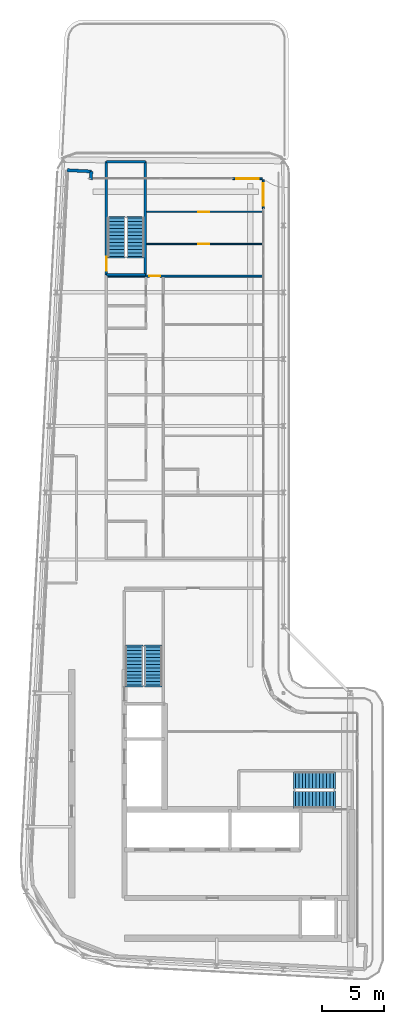
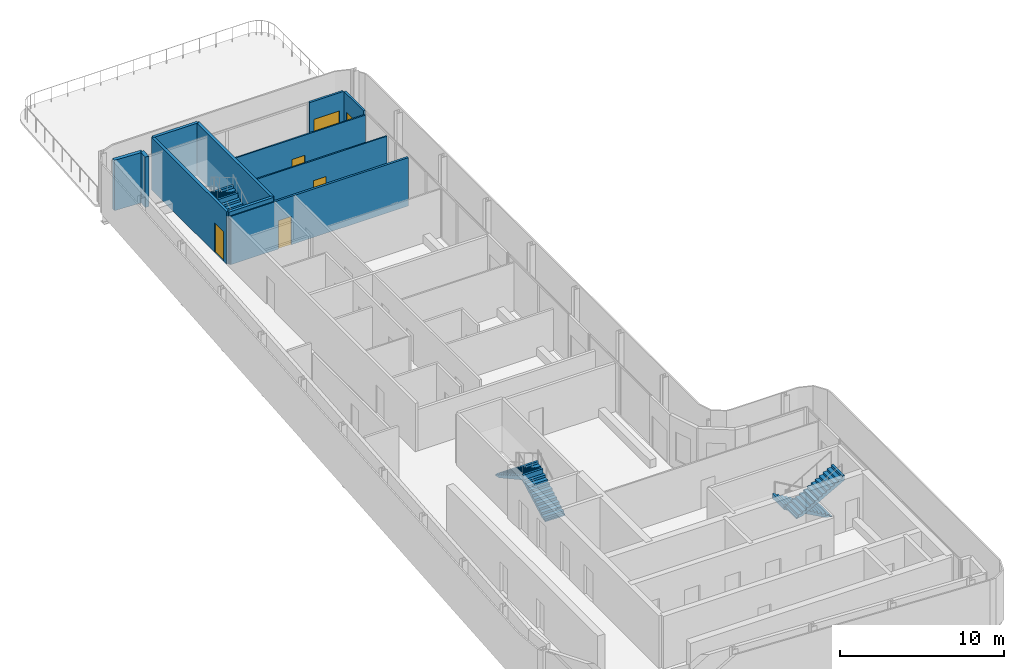
# One storey, part 11 of 15: 11 walls, 6 doors, 6 stair flights, 6 openings, 3 elements without a shape of their own.
"""IFC4 building model written with IfcOpenShell, lengths in metres."""

from ifc_helpers import new_model, si_unit, direction, frame, frame_2d, origin, place, context, subcontext, project, spatial, polyline, rectangle, outline, extrude, source, transform, mapped, material, layer, layer_set, type_object, element, fill, aggregate, save


model = new_model("IFC4")

# Units and contexts
model_context = context("Model", 3, precision=1e-05, world=origin(), true_north=direction((0.0, 1.0)))
body_context = subcontext(model_context, "Body", "Model", "MODEL_VIEW")
ifc_project = project(units=[si_unit("LENGTHUNIT", "METRE"), si_unit("AREAUNIT", "SQUARE_METRE"), si_unit("VOLUMEUNIT", "CUBIC_METRE"), si_unit("PLANEANGLEUNIT", "RADIAN"), si_unit("MASSUNIT", "GRAM", prefix="KILO")], contexts=[model_context])

# Site, building, storey
site_placement = place(None, origin())
site = spatial("IfcSite", under=ifc_project, at=site_placement, CompositionType="ELEMENT")
building_placement = place(site_placement, origin())
building = spatial("IfcBuilding", under=site, at=building_placement, Name="Kheshtan School and Residences Tower", CompositionType="ELEMENT")
storey_placement = place(building_placement, frame((0.0, 0.0, 338.300048828125)))
storey = spatial("IfcBuildingStorey", under=building, at=storey_placement, Name="L79", CompositionType="ELEMENT", Elevation=338.300048828125)

# Walls
ifc_material_1 = material(Name="Concrete C40/50 with ceramic cladding and mineral wool insulation", Category="concrete")
ifc_layer_1 = layer(ifc_material_1, 0.25)
ifc_layer_set_1 = layer_set([ifc_layer_1], Name="External wall 250 ceramic clad")
wall_type_1 = type_object("IfcWallType", Name="External wall 250 ceramic clad", PredefinedType="SOLIDWALL", material=ifc_layer_set_1)
wall_1_placement = place(storey_placement, frame((30.136962890625, 87.864013671875, 0.0), z_axis=(0.0, 0.0, 1.0), x_axis=(0.998577785791, -0.053314216913, 0.0)))
element("IfcWall", 1, at=wall_1_placement, inside=storey, type_object=wall_type_1, Name="External wall L79 1", PredefinedType="SOLIDWALL", context=body_context, shape_type="SweptSolid", body=[
    extrude(rectangle(XDim=1.95068359375, YDim=0.25, at=frame_2d((0.975341796875, 0.0))), origin(), (0.0, 0.0, 1.0), 3.75),
])
wall_2_placement = place(storey_placement, frame((32.0849609375, 87.760009765625, 0.0), z_axis=(0.0, 0.0, 1.0), x_axis=(-0.053729014033, -0.998555553312, 0.0)))
element("IfcWall", 2, at=wall_2_placement, inside=storey, type_object=wall_type_1, Name="External wall L79 2", PredefinedType="SOLIDWALL", context=body_context, shape_type="SweptSolid", body=[
    extrude(rectangle(XDim=0.66796875, YDim=0.25, at=frame_2d((0.333984375, 0.0))), origin(), (0.0, 0.0, 1.0), 3.75),
])

# Wall, opening, door
ifc_material_2 = material(Name="Aluminium frame wall with insulated infill", Category="aluminium")
ifc_layer_2 = layer(ifc_material_2, 0.14990234375)
ifc_layer_set_2 = layer_set([ifc_layer_2], Name="Glazing frame wall 150")
wall_type_2 = type_object("IfcWallType", Name="Glazing frame wall 150", PredefinedType="SOLIDWALL", material=ifc_layer_set_2)
wall_3_placement = place(storey_placement, frame((43.5, 87.175048828125, 0.0), z_axis=(0.0, 0.0, 1.0), x_axis=(1.0, 0.0, 0.0)))
wall_3 = element("IfcWall", 3, at=wall_3_placement, inside=storey, type_object=wall_type_2, Name="Balcony door wall L79 3.1", PredefinedType="SOLIDWALL", context=body_context, shape_type="SweptSolid", body=[
    extrude(rectangle(XDim=2.39990234375, YDim=0.14990234375, at=frame_2d((1.199951171875, 0.0))), origin(), (0.0, 0.0, 1.0), 3.75),
])
opening_1_placement = place(wall_3_placement, frame((0.300048828125, 0.0, 0.0)))
opening_1 = element("IfcOpeningElement", 4, at=opening_1_placement, cuts=wall_3, Name="Opening BD", PredefinedType="OPENING", context=body_context, shape_type="SweptSolid", body=[
    extrude(rectangle(XDim=1.800048828125, YDim=2.39990234375, at=frame_2d((0.89990234375, 1.199951171875))), frame((0.0, 0.0849609375, 0.0), z_axis=(0.0, -1.0, 0.0), x_axis=(1.0, 0.0, 0.0)), (0.0, 0.0, 1.0), 0.169921875),
])
ifc_material_3 = material(Name="Clear low-e glass in thermally broken aluminium frame", Category="aluminium")
door_type_1 = type_object("IfcDoorType", Name="Balcony sliding door", OperationType="SLIDING_TO_LEFT", PredefinedType="DOOR", material=ifc_material_3)
shared_shape_1 = source(origin(), body_context, "Body", "SweptSolid", [
    extrude(rectangle(XDim=1.800048828125, YDim=2.39990234375, at=frame_2d((0.89990234375, 1.199951171875))), frame((0.0, 0.02490234375, 0.0), z_axis=(0.0, -1.0, 0.0), x_axis=(1.0, 0.0, 0.0)), (0.0, 0.0, 1.0), 0.050048828125),
])
door_1_placement = place(opening_1_placement, origin())
door_1 = element("IfcDoor", 5, at=door_1_placement, inside=storey, type_object=door_type_1, Name="Balcony door L79 3.1", OperationType="SLIDING_TO_LEFT", OverallHeight=2.39990234375, OverallWidth=1.800048828125, PredefinedType="DOOR", context=body_context, shape_type="MappedRepresentation", body=[
    mapped(shared_shape_1, transform((0.0, 0.0, 0.0), x_axis=(1.0, 0.0, 0.0), y_axis=(0.0, 1.0, 0.0), z_axis=(0.0, 0.0, 1.0), scale=1.0)),
])
fill(opening_1, door_1)

wall_4_placement = place(storey_placement, frame((45.97509765625, 87.10009765625, 0.0), z_axis=(0.0, 0.0, 1.0), x_axis=(0.0, -1.0, 0.0)))
wall_4 = element("IfcWall", 6, at=wall_4_placement, inside=storey, type_object=wall_type_2, Name="Balcony door wall L79 4.1", PredefinedType="SOLIDWALL", context=body_context, shape_type="SweptSolid", body=[
    extrude(rectangle(XDim=2.400146484375, YDim=0.14990234375, at=frame_2d((1.2001953125, 0.0))), origin(), (0.0, 0.0, 1.0), 3.75),
])
opening_2_placement = place(wall_4_placement, frame((0.300048828125, 0.0, 0.0)))
opening_2 = element("IfcOpeningElement", 7, at=opening_2_placement, cuts=wall_4, Name="Opening BD", PredefinedType="OPENING", context=body_context, shape_type="SweptSolid", body=[
    extrude(rectangle(XDim=1.800048828125, YDim=2.39990234375, at=frame_2d((0.89990234375, 1.199951171875))), frame((0.0, 0.0849609375, 0.0), z_axis=(0.0, -1.0, 0.0), x_axis=(1.0, 0.0, 0.0)), (0.0, 0.0, 1.0), 0.169921875),
])
door_2_placement = place(opening_2_placement, origin())
door_2 = element("IfcDoor", 8, at=door_2_placement, inside=storey, type_object=door_type_1, Name="Balcony door L79 4.1", OperationType="SLIDING_TO_LEFT", OverallHeight=2.39990234375, OverallWidth=1.800048828125, PredefinedType="DOOR", context=body_context, shape_type="MappedRepresentation", body=[
    mapped(shared_shape_1, transform((0.0, 0.0, 0.0), x_axis=(1.0, 0.0, 0.0), y_axis=(0.0, 1.0, 0.0), z_axis=(0.0, 0.0, 1.0), scale=1.0)),
])
fill(opening_2, door_2)

ifc_material_4 = material(Name="Gypsum board on steel studs", Category="steel")
ifc_layer_3 = layer(ifc_material_4, 0.10009765625)
ifc_layer_set_3 = layer_set([ifc_layer_3], Name="Gypsum partition 100")
wall_type_3 = type_object("IfcWallType", Name="Gypsum partition 100", PredefinedType="PARTITIONING", material=ifc_layer_set_3)
wall_5_placement = place(storey_placement, frame((36.549072265625, 81.89990234375, 0.0), z_axis=(0.0, 0.0, 1.0), x_axis=(1.0, 0.0, 0.0)))
wall_5 = element("IfcWall", 9, at=wall_5_placement, inside=storey, type_object=wall_type_3, Name="Partition L79-016", PredefinedType="PARTITIONING", context=body_context, shape_type="SweptSolid", body=[
    extrude(rectangle(XDim=9.350830078125, YDim=0.10009765625, at=frame_2d((4.67529296875, 0.0))), origin(), (0.0, 0.0, 1.0), 3.599853515625),
])
opening_3_placement = place(wall_5_placement, frame((4.176025390625, 0.0, 0.0)))
opening_3 = element("IfcOpeningElement", 10, at=opening_3_placement, cuts=wall_5, Name="Opening D79-016", PredefinedType="OPENING", context=body_context, shape_type="SweptSolid", body=[
    extrude(rectangle(XDim=0.89990234375, YDim=2.10009765625, at=frame_2d((0.449951171875, 1.050048828125))), frame((0.0, 0.06005859375, 0.0), z_axis=(0.0, -1.0, 0.0), x_axis=(1.0, 0.0, 0.0)), (0.0, 0.0, 1.0), 0.1201171875),
])
ifc_material_5 = material(Name="Veneered timber door leaf", Category="wood")
door_type_2 = type_object("IfcDoorType", Name="Door 900 x 2100", OperationType="SINGLE_SWING_LEFT", PredefinedType="DOOR", material=ifc_material_5)
shared_shape_2 = source(origin(), body_context, "Body", "SweptSolid", [
    extrude(rectangle(XDim=0.89990234375, YDim=2.10009765625, at=frame_2d((0.449951171875, 1.050048828125))), frame((0.0, 0.02490234375, 0.0), z_axis=(0.0, -1.0, 0.0), x_axis=(1.0, 0.0, 0.0)), (0.0, 0.0, 1.0), 0.050048828125),
])
door_3_placement = place(opening_3_placement, origin())
door_3 = element("IfcDoor", 11, at=door_3_placement, inside=storey, type_object=door_type_2, Name="Door D79-016", OperationType="SINGLE_SWING_RIGHT", OverallHeight=2.10009765625, OverallWidth=0.89990234375, PredefinedType="DOOR", context=body_context, shape_type="MappedRepresentation", body=[
    mapped(shared_shape_2, transform((0.0, 0.0, 0.0), x_axis=(1.0, 0.0, 0.0), y_axis=(0.0, 1.0, 0.0), z_axis=(0.0, 0.0, 1.0), scale=1.0)),
])
fill(opening_3, door_3)

wall_6_placement = place(storey_placement, frame((36.549072265625, 84.5, 0.0), z_axis=(0.0, 0.0, 1.0), x_axis=(1.0, 0.0, 0.0)))
wall_6 = element("IfcWall", 12, at=wall_6_placement, inside=storey, type_object=wall_type_3, Name="Partition L79-017", PredefinedType="PARTITIONING", context=body_context, shape_type="SweptSolid", body=[
    extrude(rectangle(XDim=9.350830078125, YDim=0.10009765625, at=frame_2d((4.67529296875, 0.0))), origin(), (0.0, 0.0, 1.0), 3.599853515625),
])
opening_4_placement = place(wall_6_placement, frame((4.176025390625, 0.0, 0.0)))
opening_4 = element("IfcOpeningElement", 13, at=opening_4_placement, cuts=wall_6, Name="Opening D79-017", PredefinedType="OPENING", context=body_context, shape_type="SweptSolid", body=[
    extrude(rectangle(XDim=0.89990234375, YDim=2.10009765625, at=frame_2d((0.449951171875, 1.050048828125))), frame((0.0, 0.06005859375, 0.0), z_axis=(0.0, -1.0, 0.0), x_axis=(1.0, 0.0, 0.0)), (0.0, 0.0, 1.0), 0.1201171875),
])
door_4_placement = place(opening_4_placement, origin())
door_4 = element("IfcDoor", 14, at=door_4_placement, inside=storey, type_object=door_type_2, Name="Door D79-017", OperationType="SINGLE_SWING_RIGHT", OverallHeight=2.10009765625, OverallWidth=0.89990234375, PredefinedType="DOOR", context=body_context, shape_type="MappedRepresentation", body=[
    mapped(shared_shape_2, transform((0.0, 0.0, 0.0), x_axis=(1.0, 0.0, 0.0), y_axis=(0.0, 1.0, 0.0), z_axis=(0.0, 0.0, 1.0), scale=1.0)),
])
fill(opening_4, door_4)

# Walls
ifc_material_6 = material(Name="Concrete C40/50", Category="concrete")
ifc_layer_4 = layer(ifc_material_6, 0.199951171875)
ifc_layer_set_4 = layer_set([ifc_layer_4], Name="Stair enclosure wall 200 Concrete C40/50")
wall_type_4 = type_object("IfcWallType", Name="Stair enclosure wall 200 Concrete C40/50", PredefinedType="SHEAR", material=ifc_layer_set_4)
for number, where, z_axis, x_axis, name in (
    (15, (33.300048828125, 79.39990234375, 0.0), (0.0, 0.0, 1.0), (1.0, 0.0, 0.0), "Stair enclosure wall ST3"),
    (16, (33.300048828125, 88.56005859375, 0.0), (0.0, 0.0, 1.0), (1.0, 0.0, 0.0), "Stair enclosure wall ST3"),
):
    element("IfcWall", number, at=place(storey_placement, frame(where, z_axis=z_axis, x_axis=x_axis)), inside=storey, type_object=wall_type_4, Name=name, PredefinedType="SHEAR", context=body_context, shape_type="SweptSolid", body=[
        extrude(rectangle(XDim=3.14990234375, YDim=0.199951171875, at=frame_2d((1.574951171875, 0.0))), origin(), (0.0, 0.0, 1.0), 3.89990234375),
    ])

# Wall, opening, door
wall_7_placement = place(storey_placement, frame((33.300048828125, 79.39990234375, 0.0), z_axis=(0.0, 0.0, 1.0), x_axis=(0.0, 1.0, 0.0)))
wall_7 = element("IfcWall", 17, at=wall_7_placement, inside=storey, type_object=wall_type_4, Name="Stair enclosure wall ST3", PredefinedType="SHEAR", context=body_context, shape_type="SweptSolid", body=[
    extrude(rectangle(XDim=9.16015625, YDim=0.199951171875, at=frame_2d((4.580078125, 0.0))), origin(), (0.0, 0.0, 1.0), 3.89990234375),
])
opening_5_placement = place(wall_7_placement, frame((0.35009765625, 0.0, 0.0)))
opening_5 = element("IfcOpeningElement", 18, at=opening_5_placement, cuts=wall_7, Name="Opening ST3D", PredefinedType="OPENING", context=body_context, shape_type="SweptSolid", body=[
    extrude(rectangle(XDim=1.10009765625, YDim=2.199951171875, at=frame_2d((0.550048828125, 1.10009765625))), frame((0.0, 0.10986328125, 0.0), z_axis=(0.0, -1.0, 0.0), x_axis=(1.0, 0.0, 0.0)), (0.0, 0.0, 1.0), 0.219970703125),
])
ifc_material_7 = material(Name="Steel door leaf, galvanised", Category="steel")
door_type_3 = type_object("IfcDoorType", Name="Stair door 1100 steel 90 min", OperationType="SINGLE_SWING_LEFT", PredefinedType="DOOR", material=ifc_material_7)
shared_shape_3 = source(origin(), body_context, "Body", "SweptSolid", [
    extrude(rectangle(XDim=1.10009765625, YDim=2.199951171875, at=frame_2d((0.550048828125, 1.10009765625))), frame((0.0, 0.02490234375, 0.0), z_axis=(0.0, -1.0, 0.0), x_axis=(1.0, 0.0, 0.0)), (0.0, 0.0, 1.0), 0.050048828125),
])
door_5_placement = place(opening_5_placement, origin())
door_5 = element("IfcDoor", 19, at=door_5_placement, inside=storey, type_object=door_type_3, Name="Stair ST3 door", OperationType="SINGLE_SWING_RIGHT", OverallHeight=2.199951171875, OverallWidth=1.10009765625, PredefinedType="DOOR", context=body_context, shape_type="MappedRepresentation", body=[
    mapped(shared_shape_3, transform((0.0, 0.0, 0.0), x_axis=(1.0, 0.0, 0.0), y_axis=(0.0, 1.0, 0.0), z_axis=(0.0, 0.0, 1.0), scale=1.0)),
])
fill(opening_5, door_5)

# Wall
wall_8_placement = place(storey_placement, frame((36.449951171875, 79.39990234375, 0.0), z_axis=(0.0, 0.0, 1.0), x_axis=(0.0, 1.0, 0.0)))
element("IfcWall", 20, at=wall_8_placement, inside=storey, type_object=wall_type_4, Name="Stair enclosure wall ST3", PredefinedType="SHEAR", context=body_context, shape_type="SweptSolid", body=[
    extrude(rectangle(XDim=9.16015625, YDim=0.199951171875, at=frame_2d((4.580078125, 0.0))), origin(), (0.0, 0.0, 1.0), 3.89990234375),
])

# Wall, opening, door
ifc_material_8 = material(Name="Moisture-resistant gypsum board on steel studs", Category="steel")
ifc_layer_5 = layer(ifc_material_8, 0.14990234375)
ifc_layer_set_5 = layer_set([ifc_layer_5], Name="Wet-room partition 150")
wall_type_5 = type_object("IfcWallType", Name="Wet-room partition 150", PredefinedType="PARTITIONING", material=ifc_layer_set_5)
wall_9_placement = place(storey_placement, frame((33.39990234375, 79.300048828125, 0.0), z_axis=(0.0, 0.0, 1.0), x_axis=(1.0, 0.0, 0.0)))
wall_9 = element("IfcWall", 21, at=wall_9_placement, inside=storey, type_object=wall_type_5, Name="Partition L79-010", PredefinedType="PARTITIONING", context=body_context, shape_type="SweptSolid", body=[
    extrude(rectangle(XDim=12.5, YDim=0.14990234375, at=frame_2d((6.25, 0.0))), origin(), (0.0, 0.0, 1.0), 3.599853515625),
])
opening_6_placement = place(wall_9_placement, frame((3.35498046875, 0.0, 0.0)))
opening_6 = element("IfcOpeningElement", 22, at=opening_6_placement, cuts=wall_9, Name="Opening D79-015", PredefinedType="OPENING", context=body_context, shape_type="SweptSolid", body=[
    extrude(rectangle(XDim=0.89990234375, YDim=2.10009765625, at=frame_2d((0.449951171875, 1.050048828125))), frame((0.0, 0.0849609375, 0.0), z_axis=(0.0, -1.0, 0.0), x_axis=(1.0, 0.0, 0.0)), (0.0, 0.0, 1.0), 0.169921875),
])
door_6_placement = place(opening_6_placement, origin())
door_6 = element("IfcDoor", 23, at=door_6_placement, inside=storey, type_object=door_type_2, Name="Door D79-015", OperationType="SINGLE_SWING_LEFT", OverallHeight=2.10009765625, OverallWidth=0.89990234375, PredefinedType="DOOR", context=body_context, shape_type="MappedRepresentation", body=[
    mapped(shared_shape_2, transform((0.0, 0.0, 0.0), x_axis=(1.0, 0.0, 0.0), y_axis=(0.0, 1.0, 0.0), z_axis=(0.0, 0.0, 1.0), scale=1.0)),
])
fill(opening_6, door_6)

# Stair, stair flights
stair_type = type_object("IfcStairType", Name="Exit stair, half-turn", PredefinedType="HALF_TURN_STAIR", material=ifc_material_6)
stair_1_placement = place(storey_placement, origin())
stair_1 = element("IfcStair", 24, at=stair_1_placement, inside=storey, type_object=stair_type, Name="L79 Protected Exit Stair ST1", PredefinedType="HALF_TURN_STAIR")
ifc_layer_6 = layer(ifc_material_6, 0.14990234375)
ifc_layer_set_6 = layer_set([ifc_layer_6], Name="Stair flight 1400 Concrete C40/50")
stair_flight_type = type_object("IfcStairFlightType", Name="Stair flight 1400 Concrete C40/50", PredefinedType="STRAIGHT", material=ifc_layer_set_6)
stair_flight_1_placement = place(storey_placement, frame((51.64990234375, 38.550048828125, 0.0), z_axis=(0.0, 0.0, 1.0), x_axis=(-1.0, 0.0, 0.0)))
stair_flight_1 = element("IfcStairFlight", 25, at=stair_flight_1_placement, type_object=stair_flight_type, Name="ST1 flight 1", NumberOfRisers=12, NumberOfTreads=11, PredefinedType="STRAIGHT", RiserHeight=0.1625, TreadLength=0.28, context=body_context, shape_type="SweptSolid", body=[
    extrude(outline(polyline([(-0.14990234375, -0.10009765625), (-0.14990234375, 0.0), (0.0, 0.0), (0.0, 0.16259765625), (0.280029296875, 0.16259765625), (0.280029296875, 0.324951171875), (0.56005859375, 0.324951171875), (0.56005859375, 0.487548828125), (0.840087890625, 0.487548828125), (0.840087890625, 0.64990234375), (1.1201171875, 0.64990234375), (1.1201171875, 0.8125), (1.39990234375, 0.8125), (1.39990234375, 0.97509765625), (1.679931640625, 0.97509765625), (1.679931640625, 1.137451171875), (1.9599609375, 1.137451171875), (1.9599609375, 1.300048828125), (2.239990234375, 1.300048828125), (2.239990234375, 1.46240234375), (2.52001953125, 1.46240234375), (2.52001953125, 1.625), (2.800048828125, 1.625), (2.800048828125, 1.78759765625), (3.080078125, 1.78759765625), (3.080078125, 1.949951171875), (3.080078125, 1.969970703125), (3.22998046875, 1.969970703125), (3.22998046875, 1.6142578125), (0.298583984375, 0.0), (-0.14990234375, -0.10009765625)])), frame((0.0, 0.699951171875, 0.0), z_axis=(0.0, -1.0, 0.0), x_axis=(1.0, 0.0, 0.0)), (0.0, 0.0, 1.0), 1.39990234375),
])
stair_flight_2_placement = place(storey_placement, frame((48.570068359375, 37.0, 1.949951171875), z_axis=(0.0, 0.0, 1.0), x_axis=(1.0, 0.0, 0.0)))
stair_flight_2 = element("IfcStairFlight", 26, at=stair_flight_2_placement, type_object=stair_flight_type, Name="ST1 flight 2", NumberOfRisers=12, NumberOfTreads=11, PredefinedType="STRAIGHT", RiserHeight=0.1625, TreadLength=0.28, context=body_context, shape_type="SweptSolid", body=[
    extrude(outline(polyline([(-0.14990234375, -0.10009765625), (-0.14990234375, 0.0), (0.0, 0.0), (0.0, 0.16259765625), (0.280029296875, 0.16259765625), (0.280029296875, 0.324951171875), (0.56005859375, 0.324951171875), (0.56005859375, 0.487548828125), (0.840087890625, 0.487548828125), (0.840087890625, 0.64990234375), (1.1201171875, 0.64990234375), (1.1201171875, 0.8125), (1.39990234375, 0.8125), (1.39990234375, 0.97509765625), (1.679931640625, 0.97509765625), (1.679931640625, 1.137451171875), (1.9599609375, 1.137451171875), (1.9599609375, 1.300048828125), (2.239990234375, 1.300048828125), (2.239990234375, 1.46240234375), (2.52001953125, 1.46240234375), (2.52001953125, 1.625), (2.800048828125, 1.625), (2.800048828125, 1.78759765625), (3.080078125, 1.78759765625), (3.080078125, 1.949951171875), (3.080078125, 1.969970703125), (3.22998046875, 1.969970703125), (3.22998046875, 1.6142578125), (0.298583984375, 0.0), (-0.14990234375, -0.10009765625)])), frame((0.0, 0.699951171875, 0.0), z_axis=(0.0, -1.0, 0.0), x_axis=(1.0, 0.0, 0.0)), (0.0, 0.0, 1.0), 1.39990234375),
])
aggregate(stair_1, [stair_flight_1, stair_flight_2])

stair_2_placement = place(storey_placement, origin())
stair_2 = element("IfcStair", 27, at=stair_2_placement, inside=storey, type_object=stair_type, Name="L79 Protected Exit Stair ST2", PredefinedType="HALF_TURN_STAIR")
stair_flight_3_placement = place(storey_placement, frame((37.10009765625, 46.25, 0.0), z_axis=(0.0, 0.0, 1.0), x_axis=(0.0, 1.0, 0.0)))
stair_flight_3 = element("IfcStairFlight", 28, at=stair_flight_3_placement, type_object=stair_flight_type, Name="ST2 flight 1", NumberOfRisers=12, NumberOfTreads=11, PredefinedType="STRAIGHT", RiserHeight=0.1625, TreadLength=0.28, context=body_context, shape_type="SweptSolid", body=[
    extrude(outline(polyline([(-0.14990234375, -0.10009765625), (-0.14990234375, 0.0), (0.0, 0.0), (0.0, 0.16259765625), (0.280029296875, 0.16259765625), (0.280029296875, 0.324951171875), (0.56005859375, 0.324951171875), (0.56005859375, 0.487548828125), (0.840087890625, 0.487548828125), (0.840087890625, 0.64990234375), (1.1201171875, 0.64990234375), (1.1201171875, 0.8125), (1.39990234375, 0.8125), (1.39990234375, 0.97509765625), (1.679931640625, 0.97509765625), (1.679931640625, 1.137451171875), (1.9599609375, 1.137451171875), (1.9599609375, 1.300048828125), (2.239990234375, 1.300048828125), (2.239990234375, 1.46240234375), (2.52001953125, 1.46240234375), (2.52001953125, 1.625), (2.800048828125, 1.625), (2.800048828125, 1.78759765625), (3.080078125, 1.78759765625), (3.080078125, 1.949951171875), (3.080078125, 1.969970703125), (3.22998046875, 1.969970703125), (3.22998046875, 1.6142578125), (0.298583984375, 0.0), (-0.14990234375, -0.10009765625)])), frame((0.0, 0.699951171875, 0.0), z_axis=(0.0, -1.0, 0.0), x_axis=(1.0, 0.0, 0.0)), (0.0, 0.0, 1.0), 1.39990234375),
])
stair_flight_4_placement = place(storey_placement, frame((35.550048828125, 49.330078125, 1.949951171875), z_axis=(0.0, 0.0, 1.0), x_axis=(0.0, -1.0, 0.0)))
stair_flight_4 = element("IfcStairFlight", 29, at=stair_flight_4_placement, type_object=stair_flight_type, Name="ST2 flight 2", NumberOfRisers=12, NumberOfTreads=11, PredefinedType="STRAIGHT", RiserHeight=0.1625, TreadLength=0.28, context=body_context, shape_type="SweptSolid", body=[
    extrude(outline(polyline([(-0.14990234375, -0.10009765625), (-0.14990234375, 0.0), (0.0, 0.0), (0.0, 0.16259765625), (0.280029296875, 0.16259765625), (0.280029296875, 0.324951171875), (0.56005859375, 0.324951171875), (0.56005859375, 0.487548828125), (0.840087890625, 0.487548828125), (0.840087890625, 0.64990234375), (1.1201171875, 0.64990234375), (1.1201171875, 0.8125), (1.39990234375, 0.8125), (1.39990234375, 0.97509765625), (1.679931640625, 0.97509765625), (1.679931640625, 1.137451171875), (1.9599609375, 1.137451171875), (1.9599609375, 1.300048828125), (2.239990234375, 1.300048828125), (2.239990234375, 1.46240234375), (2.52001953125, 1.46240234375), (2.52001953125, 1.625), (2.800048828125, 1.625), (2.800048828125, 1.78759765625), (3.080078125, 1.78759765625), (3.080078125, 1.949951171875), (3.080078125, 1.969970703125), (3.22998046875, 1.969970703125), (3.22998046875, 1.6142578125), (0.298583984375, 0.0), (-0.14990234375, -0.10009765625)])), frame((0.0, 0.699951171875, 0.0), z_axis=(0.0, -1.0, 0.0), x_axis=(1.0, 0.0, 0.0)), (0.0, 0.0, 1.0), 1.39990234375),
])
aggregate(stair_2, [stair_flight_3, stair_flight_4])

stair_3_placement = place(storey_placement, origin())
stair_3 = element("IfcStair", 30, at=stair_3_placement, inside=storey, type_object=stair_type, Name="L79 Protected Exit Stair ST3", PredefinedType="HALF_TURN_STAIR")
stair_flight_5_placement = place(storey_placement, frame((35.64990234375, 80.89990234375, 0.0), z_axis=(0.0, 0.0, 1.0), x_axis=(0.0, 1.0, 0.0)))
stair_flight_5 = element("IfcStairFlight", 31, at=stair_flight_5_placement, type_object=stair_flight_type, Name="ST3 flight 1", NumberOfRisers=12, NumberOfTreads=11, PredefinedType="STRAIGHT", RiserHeight=0.1625, TreadLength=0.28, context=body_context, shape_type="SweptSolid", body=[
    extrude(outline(polyline([(-0.14990234375, -0.10009765625), (-0.14990234375, 0.0), (0.0, 0.0), (0.0, 0.16259765625), (0.280029296875, 0.16259765625), (0.280029296875, 0.324951171875), (0.56005859375, 0.324951171875), (0.56005859375, 0.487548828125), (0.840087890625, 0.487548828125), (0.840087890625, 0.64990234375), (1.1201171875, 0.64990234375), (1.1201171875, 0.8125), (1.39990234375, 0.8125), (1.39990234375, 0.97509765625), (1.679931640625, 0.97509765625), (1.679931640625, 1.137451171875), (1.9599609375, 1.137451171875), (1.9599609375, 1.300048828125), (2.239990234375, 1.300048828125), (2.239990234375, 1.46240234375), (2.52001953125, 1.46240234375), (2.52001953125, 1.625), (2.800048828125, 1.625), (2.800048828125, 1.78759765625), (3.080078125, 1.78759765625), (3.080078125, 1.949951171875), (3.080078125, 1.969970703125), (3.22998046875, 1.969970703125), (3.22998046875, 1.6142578125), (0.298583984375, 0.0), (-0.14990234375, -0.10009765625)])), frame((0.0, 0.699951171875, 0.0), z_axis=(0.0, -1.0, 0.0), x_axis=(1.0, 0.0, 0.0)), (0.0, 0.0, 1.0), 1.39990234375),
])
stair_flight_6_placement = place(storey_placement, frame((34.10009765625, 83.97998046875, 1.949951171875), z_axis=(0.0, 0.0, 1.0), x_axis=(0.0, -1.0, 0.0)))
stair_flight_6 = element("IfcStairFlight", 32, at=stair_flight_6_placement, type_object=stair_flight_type, Name="ST3 flight 2", NumberOfRisers=12, NumberOfTreads=11, PredefinedType="STRAIGHT", RiserHeight=0.1625, TreadLength=0.28, context=body_context, shape_type="SweptSolid", body=[
    extrude(outline(polyline([(-0.14990234375, -0.10009765625), (-0.14990234375, 0.0), (0.0, 0.0), (0.0, 0.16259765625), (0.280029296875, 0.16259765625), (0.280029296875, 0.324951171875), (0.56005859375, 0.324951171875), (0.56005859375, 0.487548828125), (0.840087890625, 0.487548828125), (0.840087890625, 0.64990234375), (1.1201171875, 0.64990234375), (1.1201171875, 0.8125), (1.39990234375, 0.8125), (1.39990234375, 0.97509765625), (1.679931640625, 0.97509765625), (1.679931640625, 1.137451171875), (1.9599609375, 1.137451171875), (1.9599609375, 1.300048828125), (2.239990234375, 1.300048828125), (2.239990234375, 1.46240234375), (2.52001953125, 1.46240234375), (2.52001953125, 1.625), (2.800048828125, 1.625), (2.800048828125, 1.78759765625), (3.080078125, 1.78759765625), (3.080078125, 1.949951171875), (3.080078125, 1.969970703125), (3.22998046875, 1.969970703125), (3.22998046875, 1.6142578125), (0.298583984375, 0.0), (-0.14990234375, -0.10009765625)])), frame((0.0, 0.699951171875, 0.0), z_axis=(0.0, -1.0, 0.0), x_axis=(1.0, 0.0, 0.0)), (0.0, 0.0, 1.0), 1.39990234375),
])
aggregate(stair_3, [stair_flight_5, stair_flight_6])

save(model, "model.ifc")
